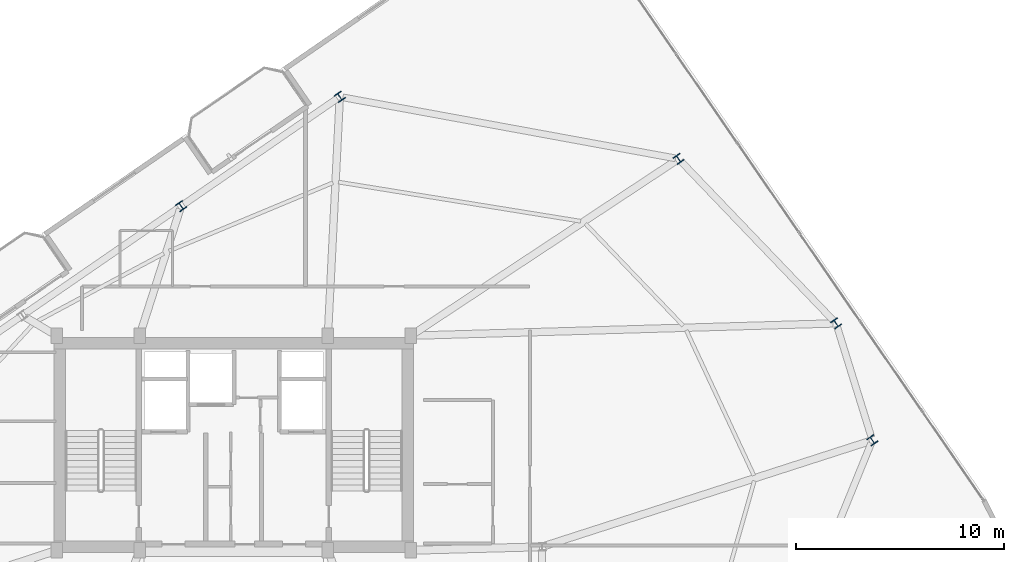
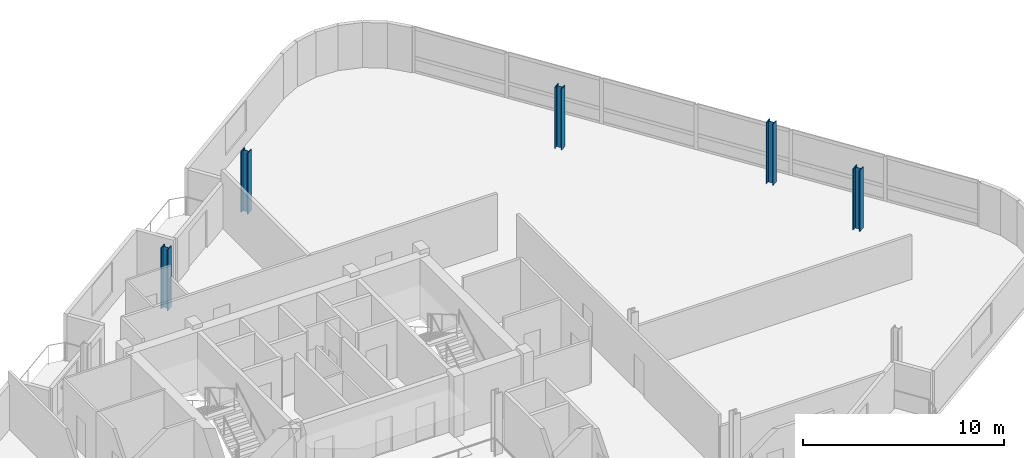
# One storey, part 2 of 22: 5 columns.
"""IFC4 building model written with IfcOpenShell, lengths in metres."""

from ifc_helpers import new_model, si_unit, direction, frame, origin, origin_2d, place, context, subcontext, project, spatial, i_section, extrude, material, material_profile, profile_set, type_object, element, save


model = new_model("IFC4")

# Units and contexts
model_context = context("Model", 3, precision=1e-05, world=origin(), true_north=direction((0.0, 1.0)))
body_context = subcontext(model_context, "Body", "Model", "MODEL_VIEW")
ifc_project = project(units=[si_unit("LENGTHUNIT", "METRE"), si_unit("AREAUNIT", "SQUARE_METRE"), si_unit("VOLUMEUNIT", "CUBIC_METRE"), si_unit("PLANEANGLEUNIT", "RADIAN"), si_unit("MASSUNIT", "GRAM", prefix="KILO")], contexts=[model_context])

# Site, building, storey
site_placement = place(None, origin())
site = spatial("IfcSite", under=ifc_project, at=site_placement, CompositionType="ELEMENT")
building_placement = place(site_placement, origin())
building = spatial("IfcBuilding", under=site, at=building_placement, Name="Varnelok Gate Tower", CompositionType="ELEMENT")
storey_placement = place(building_placement, frame((0.0, 0.0, 284.10009765625)))
storey = spatial("IfcBuildingStorey", under=building, at=storey_placement, Name="L73", CompositionType="ELEMENT", Elevation=284.10009765625)

# Columns
ifc_material = material(Name="Structural Steel ASTM A992 Grade 50", Category="steel")
ifc_material_profile = material_profile(ifc_material, i_section(OverallWidth=0.40087890625, OverallDepth=0.39892578125, WebThickness=0.02490234375, FlangeThickness=0.03955078125, FilletRadius=0.02197265625, at=origin_2d()), Name="W14X211")
ifc_profile_set = profile_set([ifc_material_profile], Name="Structural Steel ASTM A992 Grade 50")
column_type = type_object("IfcColumnType", Name="COL-W14X211", PredefinedType="COLUMN", material=ifc_profile_set)
for number, where, z_axis, x_axis, name in (
    (1, (69.856689453125, 34.031494140625, 0.0), (0.0, 0.0, 1.0), (0.823532597628, 0.567268949127, 0.0), "L73 B6 Perimeter Column PC06"),
    (2, (68.115478515625, 39.644287109375, 0.0), (0.0, 0.0, 1.0), (0.823532597628, 0.567268949127, 0.0), "L73 B6 Perimeter Column PC07"),
    (3, (60.5537109375, 47.537353515625, 0.0), (0.0, 0.0, 1.0), (0.823532597628, 0.567268949127, 0.0), "L73 B6 Perimeter Column PC08"),
    (4, (44.29248046875, 50.519287109375, 0.0), (0.0, 0.0, 1.0), (0.823532597628, 0.567268949127, 0.0), "L73 B6 Perimeter Column PC09"),
    (5, (36.6748046875, 45.27197265625, 0.0), (0.0, 0.0, 1.0), (0.823532597628, 0.567268949127, 0.0), "L73 B6 Perimeter Column PC10"),
):
    element("IfcColumn", number, at=place(storey_placement, frame(where, z_axis=z_axis, x_axis=x_axis)), inside=storey, type_object=column_type, Name=name, PredefinedType="COLUMN", context=body_context, shape_type="SweptSolid", body=[
        extrude(i_section(OverallWidth=0.40087890625, OverallDepth=0.39892578125, WebThickness=0.02490234375, FlangeThickness=0.03955078125, FilletRadius=0.02197265625, at=origin_2d()), origin(), (0.0, 0.0, 1.0), 3.699951171875),
    ])

save(model, "model.ifc")
